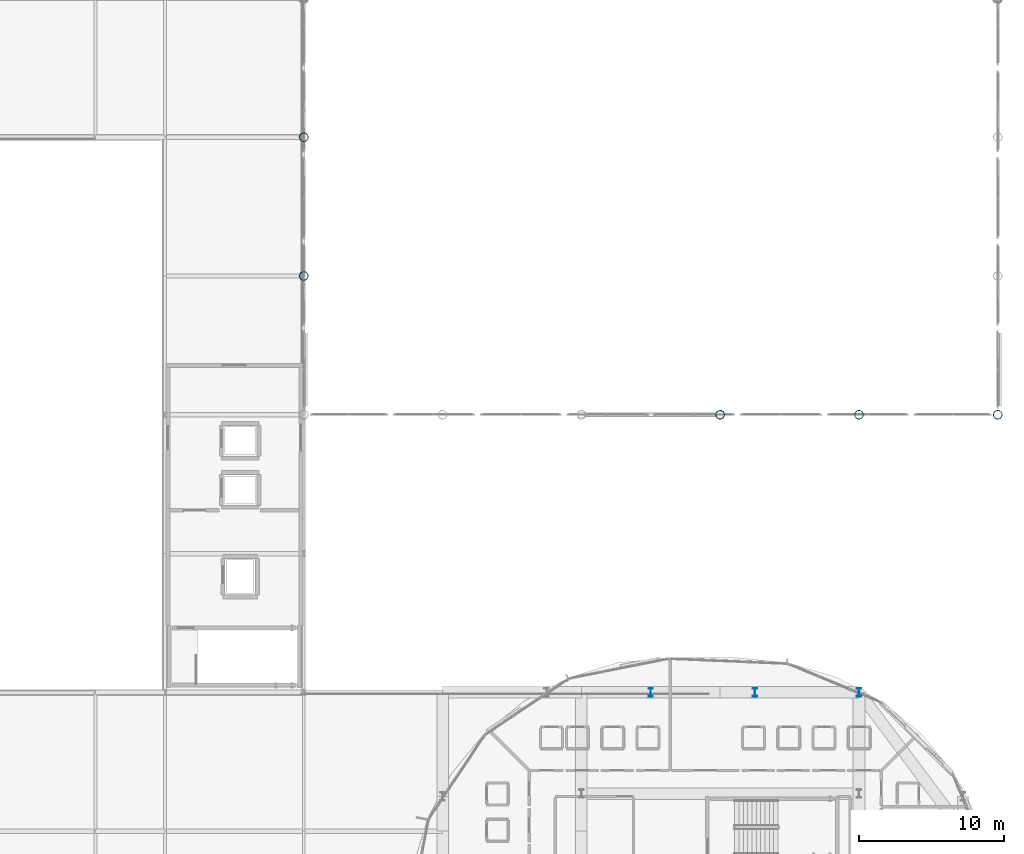
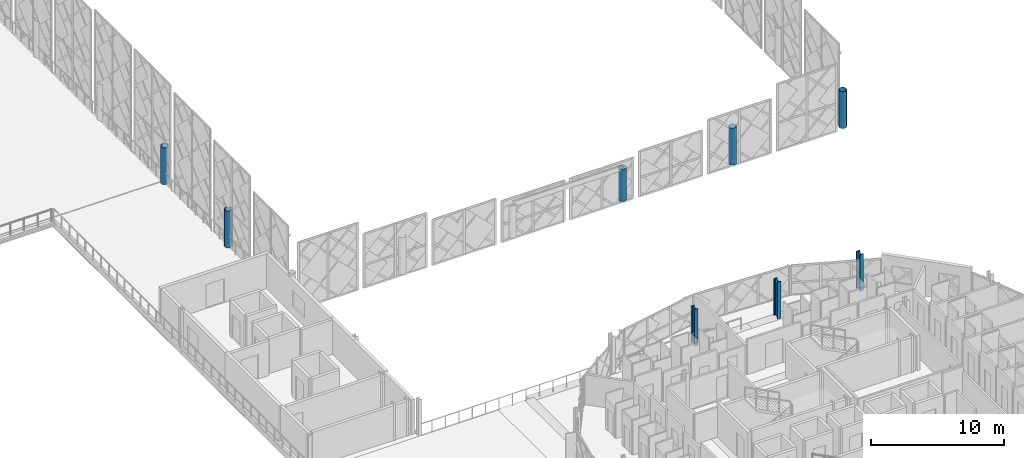
# One storey, part 6 of 53: 8 columns.
"""IFC4 building model written with IfcOpenShell, lengths in metres."""

from ifc_helpers import new_model, si_unit, direction, frame, origin, origin_2d, place, context, subcontext, project, spatial, hollow_circle, i_section, extrude, material, material_profile, profile_set, type_object, element, save


model = new_model("IFC4")

# Units and contexts
model_context = context("Model", 3, precision=1e-05, world=origin(), true_north=direction((0.0, 1.0)))
body_context = subcontext(model_context, "Body", "Model", "MODEL_VIEW")
ifc_project = project(units=[si_unit("LENGTHUNIT", "METRE"), si_unit("AREAUNIT", "SQUARE_METRE"), si_unit("VOLUMEUNIT", "CUBIC_METRE"), si_unit("PLANEANGLEUNIT", "RADIAN"), si_unit("MASSUNIT", "GRAM", prefix="KILO")], contexts=[model_context])

# Site, building, storey
site_placement = place(None, origin())
site = spatial("IfcSite", under=ifc_project, at=site_placement, CompositionType="ELEMENT")
building_placement = place(site_placement, origin())
building = spatial("IfcBuilding", under=site, at=building_placement, Name="Zevrakil Square Congress Hotel", CompositionType="ELEMENT")
storey_placement = place(building_placement, frame((0.0, 0.0, 14.699951171875)))
storey = spatial("IfcBuildingStorey", under=building, at=storey_placement, Name="L04", CompositionType="ELEMENT", Elevation=14.699951171875)

# Columns
ifc_material_1 = material(Name="Steel S355", Category="steel")
ifc_material_profile_1 = material_profile(ifc_material_1, hollow_circle(Radius=0.304931640625, WallThickness=0.02490234375, at=origin_2d()), Name="CHS 610x25")
ifc_profile_set_1 = profile_set([ifc_material_profile_1], Name="Steel S355")
column_type_1 = type_object("IfcColumnType", Name="COL-CHS610", PredefinedType="COLUMN", material=ifc_profile_set_1)
column_placement = place(storey_placement, frame((146.39990234375, 64.800048828125, 0.0), z_axis=(0.0, 0.0, 1.0), x_axis=(1.0, 0.0, 0.0)))
element("IfcColumn", 1, at=column_placement, inside=storey, type_object=column_type_1, Name="L04 Congress ring pedestal column CP-04", PredefinedType="COLUMN", context=body_context, shape_type="SweptSolid", body=[
    extrude(hollow_circle(Radius=0.304931640625, WallThickness=0.02490234375, at=origin_2d()), origin(), (0.0, 0.0, 1.0), 2.97802734375),
])
for number, where, z_axis, x_axis, name in (
    (2, (156.0, 64.800048828125, 0.0), (0.0, 0.0, 1.0), (1.0, 0.0, 0.0), "L04 Congress ring pedestal column CP-05"),
    (3, (165.60009765625, 64.800048828125, 0.0), (0.0, 0.0, 1.0), (1.0, 0.0, 0.0), "L04 Congress ring pedestal column CP-06"),
    (4, (117.60009765625, 84.0, 0.0), (0.0, 0.0, 1.0), (1.0, 0.0, 0.0), "L04 Congress ring pedestal column CP-19"),
    (5, (117.60009765625, 74.39990234375, 0.0), (0.0, 0.0, 1.0), (1.0, 0.0, 0.0), "L04 Congress ring pedestal column CP-20"),
):
    element("IfcColumn", number, at=place(storey_placement, frame(where, z_axis=z_axis, x_axis=x_axis)), inside=storey, type_object=column_type_1, Name=name, PredefinedType="COLUMN", context=body_context, shape_type="SweptSolid", body=[
        extrude(hollow_circle(Radius=0.304931640625, WallThickness=0.02490234375, at=origin_2d()), origin(), (0.0, 0.0, 1.0), 3.400146484375),
    ])
ifc_material_2 = material(Name="Steel S355", Category="steel")
ifc_material_profile_2 = material_profile(ifc_material_2, i_section(OverallWidth=0.305908203125, OverallDepth=0.572021484375, WebThickness=0.02099609375, FlangeThickness=0.0400390625, FilletRadius=0.027099609375, at=origin_2d()), Name="HEM 550")
ifc_profile_set_2 = profile_set([ifc_material_profile_2], Name="Steel S355")
column_type_2 = type_object("IfcColumnType", Name="COL-HEM550", PredefinedType="COLUMN", material=ifc_profile_set_2)
for number, where, z_axis, x_axis, name in (
    (6, (156.0, 45.60009765625, 0.0), (0.0, 0.0, 1.0), (1.0, 0.0, 0.0), "L04 drum column DC09"),
    (7, (148.800048828125, 45.60009765625, 0.0), (0.0, 0.0, 1.0), (1.0, 0.0, 0.0), "L04 drum column DC10"),
    (8, (141.60009765625, 45.60009765625, 0.0), (0.0, 0.0, 1.0), (1.0, 0.0, 0.0), "L04 drum column DC11"),
):
    element("IfcColumn", number, at=place(storey_placement, frame(where, z_axis=z_axis, x_axis=x_axis)), inside=storey, type_object=column_type_2, Name=name, PredefinedType="COLUMN", context=body_context, shape_type="SweptSolid", body=[
        extrude(i_section(OverallWidth=0.305908203125, OverallDepth=0.572021484375, WebThickness=0.02099609375, FlangeThickness=0.0400390625, FilletRadius=0.027099609375, at=origin_2d()), origin(), (0.0, 0.0, 1.0), 3.400146484375),
    ])

save(model, "model.ifc")
